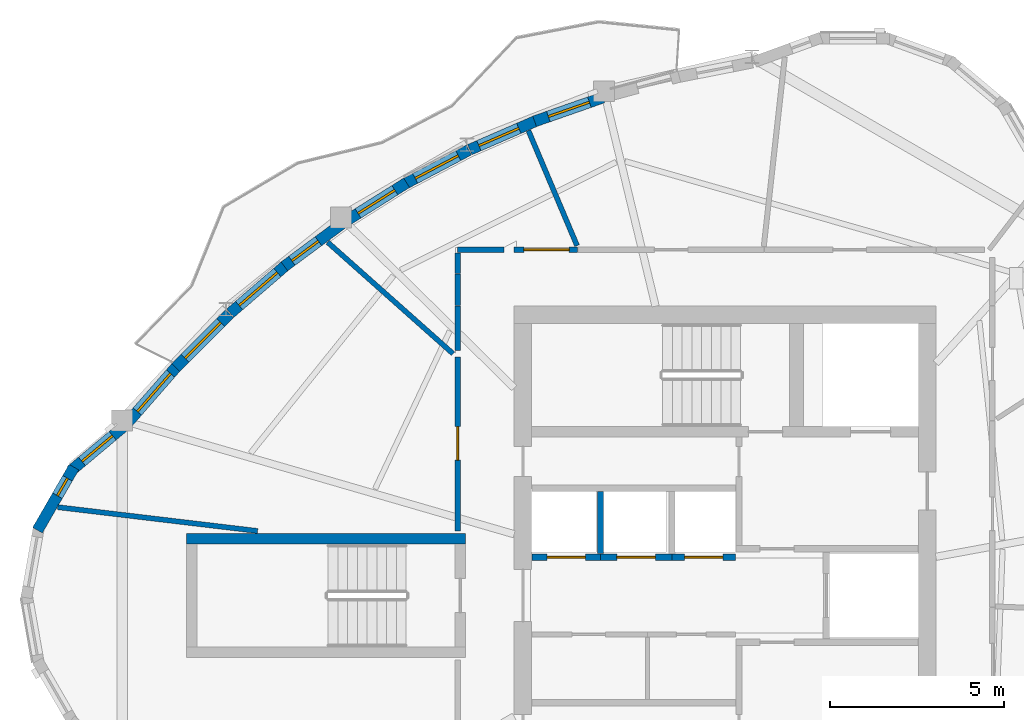
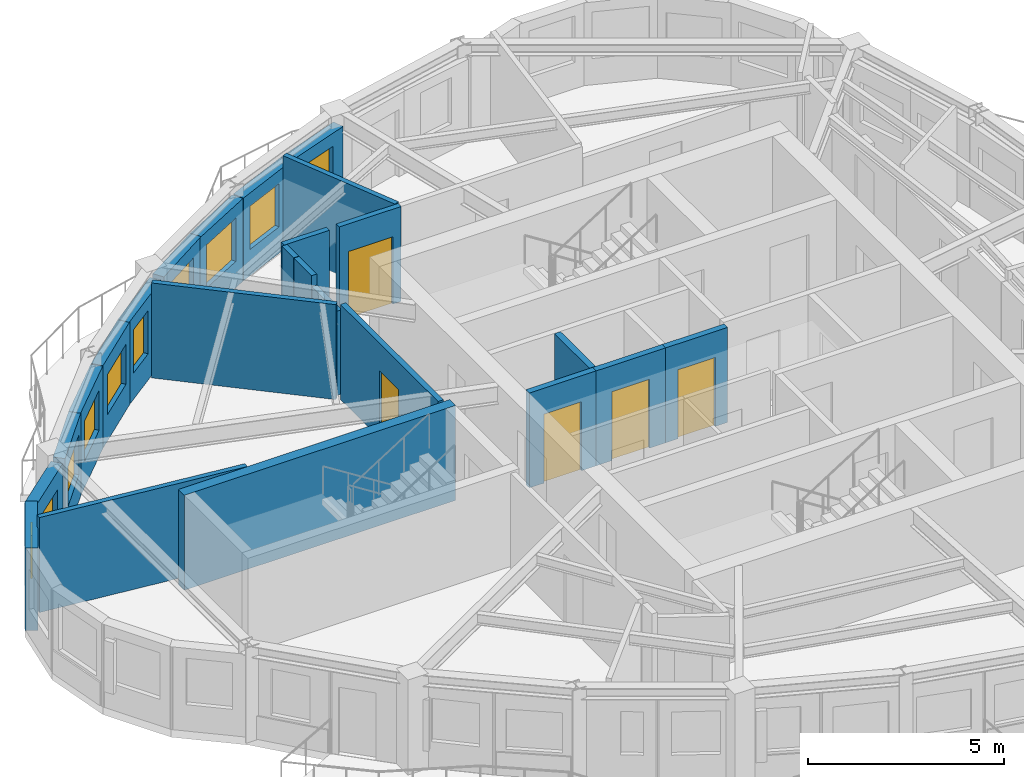
# One storey, part 5 of 11: 24 walls, 10 windows, 5 doors, 15 openings.
"""IFC4 building model written with IfcOpenShell, lengths in metres."""

from ifc_helpers import new_model, si_unit, direction, frame, frame_2d, origin, place, context, subcontext, project, spatial, rectangle, extrude, source, transform, mapped, material, layer, layer_set, type_object, element, fill, save


model = new_model("IFC4")

# Units and contexts
model_context = context("Model", 3, precision=1e-05, world=origin(), true_north=direction((0.0, 1.0)))
body_context = subcontext(model_context, "Body", "Model", "MODEL_VIEW")
ifc_project = project(units=[si_unit("LENGTHUNIT", "METRE"), si_unit("AREAUNIT", "SQUARE_METRE"), si_unit("VOLUMEUNIT", "CUBIC_METRE"), si_unit("PLANEANGLEUNIT", "RADIAN"), si_unit("MASSUNIT", "GRAM", prefix="KILO")], contexts=[model_context])

# Site, building, storey
site_placement = place(None, origin())
site = spatial("IfcSite", under=ifc_project, at=site_placement, CompositionType="ELEMENT")
building_placement = place(site_placement, origin())
building = spatial("IfcBuilding", under=site, at=building_placement, Name="Qafzar Sky-Pleat Residences", CompositionType="ELEMENT")
storey_placement = place(building_placement, frame((0.0, 0.0, 230.800048828125)))
storey = spatial("IfcBuildingStorey", under=building, at=storey_placement, Name="L69", CompositionType="ELEMENT", Elevation=230.800048828125)

# Wall, opening, door
ifc_material_1 = material(Name="Acoustic gypsum plasterboard partition", Category="gypsum")
ifc_layer_1 = layer(ifc_material_1, 0.159912109375)
ifc_layer_set_1 = layer_set([ifc_layer_1], Name="Acoustic gypsum plasterboard partition")
wall_type_1 = type_object("IfcWallType", Name="PART-COR-160", PredefinedType="PARTITIONING", material=ifc_layer_set_1)
wall_1_placement = place(storey_placement, frame((22.679931640625, 27.85009765625, 0.0), z_axis=(0.0, 0.0, 1.0), x_axis=(0.0, 1.0, 0.0)))
wall_1 = element("IfcWall", 1, at=wall_1_placement, inside=storey, type_object=wall_type_1, Name="L69 Partition Wall PART-L69-PW-004", PredefinedType="PARTITIONING", context=body_context, shape_type="SweptSolid", body=[
    extrude(rectangle(XDim=4.98779296875, YDim=0.159912109375, at=frame_2d((2.493896484375, 0.0))), origin(), (0.0, 0.0, 1.0), 2.9599609375),
])
opening_1_placement = place(wall_1_placement, frame((2.033447265625, 0.0, 0.0)))
opening_1 = element("IfcOpeningElement", 2, at=opening_1_placement, cuts=wall_1, Name="Opening ID-06", PredefinedType="OPENING", context=body_context, shape_type="SweptSolid", body=[
    extrude(rectangle(XDim=0.9599609375, YDim=2.10009765625, at=frame_2d((0.47998046875, 1.050048828125))), frame((0.0, 0.08984375, 0.0), z_axis=(0.0, -1.0, 0.0), x_axis=(1.0, 0.0, 0.0)), (0.0, 0.0, 1.0), 0.179931640625),
])
ifc_material_2 = material(Name="Timber-faced fire door", Category="wood")
door_type_1 = type_object("IfcDoorType", Name="DR-STD-960", OperationType="NOTDEFINED", PredefinedType="DOOR", material=ifc_material_2)
shared_shape_1 = source(origin(), body_context, "Body", "SweptSolid", [
    extrude(rectangle(XDim=0.9599609375, YDim=2.10009765625, at=frame_2d((0.47998046875, 1.050048828125))), frame((0.0, 0.02490234375, 0.0), z_axis=(0.0, -1.0, 0.0), x_axis=(1.0, 0.0, 0.0)), (0.0, 0.0, 1.0), 0.050048828125),
])
door_1_placement = place(opening_1_placement, origin())
door_1 = element("IfcDoor", 3, at=door_1_placement, inside=storey, type_object=door_type_1, Name="L69 Reading Library Door", OperationType="SINGLE_SWING_RIGHT", OverallHeight=2.10009765625, OverallWidth=0.9599609375, PredefinedType="DOOR", context=body_context, shape_type="MappedRepresentation", body=[
    mapped(shared_shape_1, transform((0.0, 0.0, 0.0), x_axis=(1.0, 0.0, 0.0), y_axis=(0.0, 1.0, 0.0), z_axis=(0.0, 0.0, 1.0), scale=1.0)),
])
fill(opening_1, door_1)

wall_2_placement = place(storey_placement, frame((24.300048828125, 35.919921875, 0.0), z_axis=(0.0, 0.0, 1.0), x_axis=(1.0, 0.0, 0.0)))
wall_2 = element("IfcWall", 4, at=wall_2_placement, inside=storey, type_object=wall_type_1, Name="L69 Partition Wall PART-L69-PW-009", PredefinedType="PARTITIONING", context=body_context, shape_type="SweptSolid", body=[
    extrude(rectangle(XDim=1.822998046875, YDim=0.159912109375, at=frame_2d((0.91162109375, 0.0))), origin(), (0.0, 0.0, 1.0), 2.9599609375),
])
opening_2_placement = place(wall_2_placement, frame((0.277099609375, 0.0, 0.0)))
opening_2 = element("IfcOpeningElement", 5, at=opening_2_placement, cuts=wall_2, Name="Opening ID-05", PredefinedType="OPENING", context=body_context, shape_type="SweptSolid", body=[
    extrude(rectangle(XDim=1.300048828125, YDim=2.10009765625, at=frame_2d((0.64990234375, 1.050048828125))), frame((0.0, 0.08984375, 0.0), z_axis=(0.0, -1.0, 0.0), x_axis=(1.0, 0.0, 0.0)), (0.0, 0.0, 1.0), 0.179931640625),
])
door_type_2 = type_object("IfcDoorType", Name="DR-LNG-1300", OperationType="DOUBLE_DOOR_SINGLE_SWING", PredefinedType="DOOR", material=ifc_material_2)
shared_shape_2 = source(origin(), body_context, "Body", "SweptSolid", [
    extrude(rectangle(XDim=1.300048828125, YDim=2.10009765625, at=frame_2d((0.64990234375, 1.050048828125))), frame((0.0, 0.02490234375, 0.0), z_axis=(0.0, -1.0, 0.0), x_axis=(1.0, 0.0, 0.0)), (0.0, 0.0, 1.0), 0.050048828125),
])
door_2_placement = place(opening_2_placement, origin())
door_2 = element("IfcDoor", 6, at=door_2_placement, inside=storey, type_object=door_type_2, Name="L69 Co-Living Lounge Door", OperationType="DOUBLE_DOOR_SINGLE_SWING", OverallHeight=2.10009765625, OverallWidth=1.300048828125, PredefinedType="DOOR", context=body_context, shape_type="MappedRepresentation", body=[
    mapped(shared_shape_2, transform((0.0, 0.0, 0.0), x_axis=(1.0, 0.0, 0.0), y_axis=(0.0, 1.0, 0.0), z_axis=(0.0, 0.0, 1.0), scale=1.0)),
])
fill(opening_2, door_2)

# Walls
wall_3_placement = place(storey_placement, frame((22.679931640625, 33.029052734375, 0.0), z_axis=(0.0, 0.0, 1.0), x_axis=(0.0, 1.0, 0.0)))
element("IfcWall", 7, at=wall_3_placement, inside=storey, type_object=wall_type_1, Name="L69 Partition Wall PART-L69-PW-024", PredefinedType="PARTITIONING", context=body_context, shape_type="SweptSolid", body=[
    extrude(rectangle(XDim=1.27099609375, YDim=0.159912109375, at=frame_2d((0.635498046875, 0.0))), origin(), (0.0, 0.0, 1.0), 2.6279296875),
])
wall_4_placement = place(storey_placement, frame((22.679931640625, 35.919921875, 0.0), z_axis=(0.0, 0.0, 1.0), x_axis=(1.0, 0.0, 0.0)))
element("IfcWall", 8, at=wall_4_placement, inside=storey, type_object=wall_type_1, Name="L69 Partition Wall PART-L69-PW-025", PredefinedType="PARTITIONING", context=body_context, shape_type="SweptSolid", body=[
    extrude(rectangle(XDim=1.33203125, YDim=0.159912109375, at=frame_2d((0.666015625, 0.0))), origin(), (0.0, 0.0, 1.0), 2.9599609375),
])
wall_5_placement = place(storey_placement, frame((22.679931640625, 34.31494140625, 0.0), z_axis=(0.0, 0.0, 1.0), x_axis=(0.0, 1.0, 0.0)))
element("IfcWall", 9, at=wall_5_placement, inside=storey, type_object=wall_type_1, Name="L69 Partition Wall PART-L69-PW-027", PredefinedType="PARTITIONING", context=body_context, shape_type="SweptSolid", body=[
    extrude(rectangle(XDim=0.902099609375, YDim=0.159912109375, at=frame_2d((0.451171875, 0.0))), origin(), (0.0, 0.0, 1.0), 2.9599609375),
])
wall_6_placement = place(storey_placement, frame((22.679931640625, 35.23193359375, 0.0), z_axis=(0.0, 0.0, 1.0), x_axis=(0.0, 1.0, 0.0)))
element("IfcWall", 10, at=wall_6_placement, inside=storey, type_object=wall_type_1, Name="L69 Partition Wall PART-L69-PW-029", PredefinedType="PARTITIONING", context=body_context, shape_type="SweptSolid", body=[
    extrude(rectangle(XDim=0.60009765625, YDim=0.159912109375, at=frame_2d((0.300048828125, 0.0))), origin(), (0.0, 0.0, 1.0), 2.9599609375),
])

# Wall, opening, door
ifc_material_3 = material(Name="Concrete blockwork partition", Category="masonry")
ifc_layer_2 = layer(ifc_material_3, 0.179931640625)
ifc_layer_set_2 = layer_set([ifc_layer_2], Name="Concrete blockwork partition")
wall_type_2 = type_object("IfcWallType", Name="PART-SHAFT-180", PredefinedType="PARTITIONING", material=ifc_layer_set_2)
wall_7_placement = place(storey_placement, frame((24.81005859375, 27.10009765625, 0.0), z_axis=(0.0, 0.0, 1.0), x_axis=(1.0, 0.0, 0.0)))
wall_7 = element("IfcWall", 11, at=wall_7_placement, inside=storey, type_object=wall_type_2, Name="L69 Partition Wall PART-L69-P4-S", PredefinedType="PARTITIONING", context=body_context, shape_type="SweptSolid", body=[
    extrude(rectangle(XDim=1.96484375, YDim=0.179931640625, at=frame_2d((0.982421875, 0.0))), origin(), (0.0, 0.0, 1.0), 2.9599609375),
])
opening_3_placement = place(wall_7_placement, frame((0.4326171875, 0.0, 0.0)))
opening_3 = element("IfcOpeningElement", 12, at=opening_3_placement, cuts=wall_7, Name="Opening LD-01", PredefinedType="OPENING", context=body_context, shape_type="SweptSolid", body=[
    extrude(rectangle(XDim=1.10009765625, YDim=2.14990234375, at=frame_2d((0.550048828125, 1.074951171875))), frame((0.0, 0.10009765625, 0.0), z_axis=(0.0, -1.0, 0.0), x_axis=(1.0, 0.0, 0.0)), (0.0, 0.0, 1.0), 0.199951171875),
])
ifc_material_4 = material(Name="Stainless steel sliding landing door", Category="steel")
door_type_3 = type_object("IfcDoorType", Name="DR-LIFT-P", OperationType="DOUBLE_DOOR_SLIDING", PredefinedType="DOOR", material=ifc_material_4)
shared_shape_3 = source(origin(), body_context, "Body", "SweptSolid", [
    extrude(rectangle(XDim=1.10009765625, YDim=2.14990234375, at=frame_2d((0.550048828125, 1.074951171875))), frame((0.0, 0.02490234375, 0.0), z_axis=(0.0, -1.0, 0.0), x_axis=(1.0, 0.0, 0.0)), (0.0, 0.0, 1.0), 0.050048828125),
])
door_3_placement = place(opening_3_placement, origin())
door_3 = element("IfcDoor", 13, at=door_3_placement, inside=storey, type_object=door_type_3, Name="L69 Passenger Lift P4 Landing Door", OperationType="DOUBLE_DOOR_SLIDING", OverallHeight=2.14990234375, OverallWidth=1.10009765625, PredefinedType="DOOR", context=body_context, shape_type="MappedRepresentation", body=[
    mapped(shared_shape_3, transform((0.0, 0.0, 0.0), x_axis=(1.0, 0.0, 0.0), y_axis=(0.0, 1.0, 0.0), z_axis=(0.0, 0.0, 1.0), scale=1.0)),
])
fill(opening_3, door_3)

wall_8_placement = place(storey_placement, frame((26.77490234375, 27.10009765625, 0.0), z_axis=(0.0, 0.0, 1.0), x_axis=(1.0, 0.0, 0.0)))
wall_8 = element("IfcWall", 14, at=wall_8_placement, inside=storey, type_object=wall_type_2, Name="L69 Partition Wall PART-L69-P5-S", PredefinedType="PARTITIONING", context=body_context, shape_type="SweptSolid", body=[
    extrude(rectangle(XDim=2.050048828125, YDim=0.179931640625, at=frame_2d((1.02490234375, 0.0))), origin(), (0.0, 0.0, 1.0), 2.9599609375),
])
opening_4_placement = place(wall_8_placement, frame((0.47509765625, 0.0, 0.0)))
opening_4 = element("IfcOpeningElement", 15, at=opening_4_placement, cuts=wall_8, Name="Opening LD-01", PredefinedType="OPENING", context=body_context, shape_type="SweptSolid", body=[
    extrude(rectangle(XDim=1.10009765625, YDim=2.14990234375, at=frame_2d((0.550048828125, 1.074951171875))), frame((0.0, 0.10009765625, 0.0), z_axis=(0.0, -1.0, 0.0), x_axis=(1.0, 0.0, 0.0)), (0.0, 0.0, 1.0), 0.199951171875),
])
door_4_placement = place(opening_4_placement, origin())
door_4 = element("IfcDoor", 16, at=door_4_placement, inside=storey, type_object=door_type_3, Name="L69 Passenger Lift P5 Landing Door", OperationType="DOUBLE_DOOR_SLIDING", OverallHeight=2.14990234375, OverallWidth=1.10009765625, PredefinedType="DOOR", context=body_context, shape_type="MappedRepresentation", body=[
    mapped(shared_shape_3, transform((0.0, 0.0, 0.0), x_axis=(1.0, 0.0, 0.0), y_axis=(0.0, 1.0, 0.0), z_axis=(0.0, 0.0, 1.0), scale=1.0)),
])
fill(opening_4, door_4)

# Wall
wall_9_placement = place(storey_placement, frame((26.77490234375, 27.199951171875, 0.0), z_axis=(0.0, 0.0, 1.0), x_axis=(0.0, 1.0, 0.0)))
element("IfcWall", 17, at=wall_9_placement, inside=storey, type_object=wall_type_2, Name="L69 Partition Wall PART-L69-P46-DIV-1", PredefinedType="PARTITIONING", context=body_context, shape_type="SweptSolid", body=[
    extrude(rectangle(XDim=1.780029296875, YDim=0.179931640625, at=frame_2d((0.89013671875, 0.0))), origin(), (0.0, 0.0, 1.0), 2.9599609375),
])

# Wall, opening, door
wall_10_placement = place(storey_placement, frame((28.824951171875, 27.10009765625, 0.0), z_axis=(0.0, 0.0, 1.0), x_axis=(1.0, 0.0, 0.0)))
wall_10 = element("IfcWall", 18, at=wall_10_placement, inside=storey, type_object=wall_type_2, Name="L69 Partition Wall PART-L69-P6-S", PredefinedType="PARTITIONING", context=body_context, shape_type="SweptSolid", body=[
    extrude(rectangle(XDim=1.824951171875, YDim=0.179931640625, at=frame_2d((0.91259765625, 0.0))), origin(), (0.0, 0.0, 1.0), 2.9599609375),
])
opening_5_placement = place(wall_10_placement, frame((0.362548828125, 0.0, 0.0)))
opening_5 = element("IfcOpeningElement", 19, at=opening_5_placement, cuts=wall_10, Name="Opening LD-01", PredefinedType="OPENING", context=body_context, shape_type="SweptSolid", body=[
    extrude(rectangle(XDim=1.10009765625, YDim=2.14990234375, at=frame_2d((0.550048828125, 1.074951171875))), frame((0.0, 0.10009765625, 0.0), z_axis=(0.0, -1.0, 0.0), x_axis=(1.0, 0.0, 0.0)), (0.0, 0.0, 1.0), 0.199951171875),
])
door_5_placement = place(opening_5_placement, origin())
door_5 = element("IfcDoor", 20, at=door_5_placement, inside=storey, type_object=door_type_3, Name="L69 Passenger Lift P6 Landing Door", OperationType="DOUBLE_DOOR_SLIDING", OverallHeight=2.14990234375, OverallWidth=1.10009765625, PredefinedType="DOOR", context=body_context, shape_type="MappedRepresentation", body=[
    mapped(shared_shape_3, transform((0.0, 0.0, 0.0), x_axis=(1.0, 0.0, 0.0), y_axis=(0.0, 1.0, 0.0), z_axis=(0.0, 0.0, 1.0), scale=1.0)),
])
fill(opening_5, door_5)

# Walls
ifc_layer_3 = layer(ifc_material_1, 0.14501953125)
ifc_layer_set_3 = layer_set([ifc_layer_3], Name="Acoustic gypsum plasterboard partition")
wall_type_3 = type_object("IfcWallType", Name="PART-UNIT-145", PredefinedType="PARTITIONING", material=ifc_layer_set_3)
wall_11_placement = place(storey_placement, frame((11.204833984375, 28.533935546875, 0.0), z_axis=(0.0, 0.0, 1.0), x_axis=(0.9929685345, -0.118378585449, 0.0)))
element("IfcWall", 21, at=wall_11_placement, inside=storey, type_object=wall_type_3, Name="L69 Partition Wall PART-L69-PW-011", PredefinedType="PARTITIONING", context=body_context, shape_type="SweptSolid", body=[
    extrude(rectangle(XDim=5.776611328125, YDim=0.14501953125, at=frame_2d((2.88818359375, 0.0))), origin(), (0.0, 0.0, 1.0), 2.9599609375),
])
wall_12_placement = place(storey_placement, frame((18.94873046875, 36.134033203125, 0.0), z_axis=(0.0, 0.0, 1.0), x_axis=(0.747482088067, -0.664281964243, 0.0)))
element("IfcWall", 22, at=wall_12_placement, inside=storey, type_object=wall_type_3, Name="L69 Partition Wall PART-L69-PW-014", PredefinedType="PARTITIONING", context=body_context, shape_type="SweptSolid", body=[
    extrude(rectangle(XDim=4.8125, YDim=0.14501953125, at=frame_2d((2.40625, 0.0))), origin(), (0.0, 0.0, 1.0), 2.9599609375),
])
wall_13_placement = place(storey_placement, frame((24.708251953125, 39.337890625, 0.0), z_axis=(0.0, 0.0, 1.0), x_axis=(0.389551136954, -0.921004838043, 0.0)))
element("IfcWall", 23, at=wall_13_placement, inside=storey, type_object=wall_type_3, Name="L69 Partition Wall PART-L69-PW-015", PredefinedType="PARTITIONING", context=body_context, shape_type="SweptSolid", body=[
    extrude(rectangle(XDim=3.58544921875, YDim=0.14501953125, at=frame_2d((1.792724609375, 0.0))), origin(), (0.0, 0.0, 1.0), 2.9599609375),
])

# Wall, opening, window
ifc_material_5 = material(Name="Precast concrete C40/50 with honed Riyadh limestone", Category="concrete")
ifc_layer_4 = layer(ifc_material_5, 0.320068359375)
ifc_layer_set_4 = layer_set([ifc_layer_4], Name="Precast concrete C40/50 with honed Riyadh limestone")
wall_type_4 = type_object("IfcWallType", Name="WALL-EXT-320", PredefinedType="SOLIDWALL", material=ifc_layer_set_4)
wall_14_placement = place(storey_placement, frame((13.0888671875, 30.842529296875, 0.0), z_axis=(0.0, 0.0, 1.0), x_axis=(-0.76606505432, -0.642763045414, 0.0)))
wall_14 = element("IfcWall", 24, at=wall_14_placement, inside=storey, type_object=wall_type_4, Name="L69 Limestone Facade Wall 1", PredefinedType="SOLIDWALL", context=body_context, shape_type="SweptSolid", body=[
    extrude(rectangle(XDim=1.962158203125, YDim=0.320068359375, at=frame_2d((0.98095703125, 0.0))), origin(), (0.0, 0.0, 1.0), 2.579833984375),
])
opening_6_placement = place(wall_14_placement, frame((0.401123046875, 0.0, 0.820068359375)))
opening_6 = element("IfcOpeningElement", 25, at=opening_6_placement, cuts=wall_14, Name="Opening WN-16", PredefinedType="OPENING", context=body_context, shape_type="SweptSolid", body=[
    extrude(rectangle(XDim=1.14990234375, YDim=1.199951171875, at=frame_2d((0.574951171875, 0.60009765625))), frame((0.0, 0.169921875, 0.0), z_axis=(0.0, -1.0, 0.0), x_axis=(1.0, 0.0, 0.0)), (0.0, 0.0, 1.0), 0.340087890625),
])
ifc_material_6 = material(Name="Solar-control low-E glass in bronze aluminium frame", Category="glass")
window_type_1 = type_object("IfcWindowType", Name="WIN-16", PartitioningType="SINGLE_PANEL", PredefinedType="WINDOW", material=ifc_material_6)
shared_shape_4 = source(origin(), body_context, "Body", "SweptSolid", [
    extrude(rectangle(XDim=1.14990234375, YDim=1.199951171875, at=frame_2d((0.574951171875, 0.60009765625))), frame((0.0, 0.030029296875, 0.0), z_axis=(0.0, -1.0, 0.0), x_axis=(1.0, 0.0, 0.0)), (0.0, 0.0, 1.0), 0.06005859375),
])
window_1_placement = place(opening_6_placement, origin())
window_1 = element("IfcWindow", 26, at=window_1_placement, inside=storey, type_object=window_type_1, Name="L69 Punched Facade Window 01", OverallHeight=1.199951171875, OverallWidth=1.14990234375, PartitioningType="SINGLE_PANEL", PredefinedType="WINDOW", context=body_context, shape_type="MappedRepresentation", body=[
    mapped(shared_shape_4, transform((0.0, 0.0, 0.0), x_axis=(1.0, 0.0, 0.0), y_axis=(0.0, 1.0, 0.0), z_axis=(0.0, 0.0, 1.0), scale=1.0)),
])
fill(opening_6, window_1)

wall_15_placement = place(storey_placement, frame((11.66943359375, 29.68115234375, 0.0), z_axis=(0.0, 0.0, 1.0), x_axis=(-0.49990781971, -0.866078617559, 0.0)))
wall_15 = element("IfcWall", 27, at=wall_15_placement, inside=storey, type_object=wall_type_4, Name="L69 Limestone Facade Wall 2", PredefinedType="SOLIDWALL", context=body_context, shape_type="SweptSolid", body=[
    extrude(rectangle(XDim=2.09033203125, YDim=0.320068359375, at=frame_2d((1.045166015625, 0.0))), origin(), (0.0, 0.0, 1.0), 2.579833984375),
])
opening_7_placement = place(wall_15_placement, frame((0.3671875, 0.0, 0.820068359375)))
opening_7 = element("IfcOpeningElement", 28, at=opening_7_placement, cuts=wall_15, Name="Opening WN-17", PredefinedType="OPENING", context=body_context, shape_type="SweptSolid", body=[
    extrude(rectangle(XDim=0.580078125, YDim=1.35009765625, at=frame_2d((0.2900390625, 0.675048828125))), frame((0.0, 0.169921875, 0.0), z_axis=(0.0, -1.0, 0.0), x_axis=(1.0, 0.0, 0.0)), (0.0, 0.0, 1.0), 0.340087890625),
])
window_type_2 = type_object("IfcWindowType", Name="WIN-17", PartitioningType="SINGLE_PANEL", PredefinedType="WINDOW", material=ifc_material_6)
shared_shape_5 = source(origin(), body_context, "Body", "SweptSolid", [
    extrude(rectangle(XDim=0.580078125, YDim=1.35009765625, at=frame_2d((0.2900390625, 0.675048828125))), frame((0.0, 0.030029296875, 0.0), z_axis=(0.0, -1.0, 0.0), x_axis=(1.0, 0.0, 0.0)), (0.0, 0.0, 1.0), 0.06005859375),
])
window_2_placement = place(opening_7_placement, origin())
window_2 = element("IfcWindow", 29, at=window_2_placement, inside=storey, type_object=window_type_2, Name="L69 Punched Facade Window 02", OverallHeight=1.35009765625, OverallWidth=0.580078125, PartitioningType="SINGLE_PANEL", PredefinedType="WINDOW", context=body_context, shape_type="MappedRepresentation", body=[
    mapped(shared_shape_5, transform((0.0, 0.0, 0.0), x_axis=(1.0, 0.0, 0.0), y_axis=(0.0, 1.0, 0.0), z_axis=(0.0, 0.0, 1.0), scale=1.0)),
])
fill(opening_7, window_2)

wall_16_placement = place(storey_placement, frame((26.842529296875, 40.285888671875, 0.0), z_axis=(0.0, 0.0, 1.0), x_axis=(-0.944109796758, -0.329631144867, 0.0)))
wall_16 = element("IfcWall", 30, at=wall_16_placement, inside=storey, type_object=wall_type_4, Name="L69 Limestone Facade Wall 41", PredefinedType="SOLIDWALL", context=body_context, shape_type="SweptSolid", body=[
    extrude(rectangle(XDim=2.071533203125, YDim=0.320068359375, at=frame_2d((1.03564453125, 0.0))), origin(), (0.0, 0.0, 1.0), 2.579833984375),
])
opening_8_placement = place(wall_16_placement, frame((0.40576171875, 0.0, 0.820068359375)))
opening_8 = element("IfcOpeningElement", 31, at=opening_8_placement, cuts=wall_16, Name="Opening WN-11", PredefinedType="OPENING", context=body_context, shape_type="SweptSolid", body=[
    extrude(rectangle(XDim=1.25, YDim=1.35009765625, at=frame_2d((0.625, 0.675048828125))), frame((0.0, 0.169921875, 0.0), z_axis=(0.0, -1.0, 0.0), x_axis=(1.0, 0.0, 0.0)), (0.0, 0.0, 1.0), 0.340087890625),
])
window_type_3 = type_object("IfcWindowType", Name="WIN-11", PartitioningType="SINGLE_PANEL", PredefinedType="WINDOW", material=ifc_material_6)
shared_shape_6 = source(origin(), body_context, "Body", "SweptSolid", [
    extrude(rectangle(XDim=1.25, YDim=1.35009765625, at=frame_2d((0.625, 0.675048828125))), frame((0.0, 0.030029296875, 0.0), z_axis=(0.0, -1.0, 0.0), x_axis=(1.0, 0.0, 0.0)), (0.0, 0.0, 1.0), 0.06005859375),
])
window_3_placement = place(opening_8_placement, origin())
window_3 = element("IfcWindow", 32, at=window_3_placement, inside=storey, type_object=window_type_3, Name="L69 Punched Facade Window 41", OverallHeight=1.35009765625, OverallWidth=1.25, PartitioningType="SINGLE_PANEL", PredefinedType="WINDOW", context=body_context, shape_type="MappedRepresentation", body=[
    mapped(shared_shape_6, transform((0.0, 0.0, 0.0), x_axis=(1.0, 0.0, 0.0), y_axis=(0.0, 1.0, 0.0), z_axis=(0.0, 0.0, 1.0), scale=1.0)),
])
fill(opening_8, window_3)

wall_17_placement = place(storey_placement, frame((24.968505859375, 39.635009765625, 0.0), z_axis=(0.0, 0.0, 1.0), x_axis=(-0.917099379281, -0.398658661666, 0.0)))
wall_17 = element("IfcWall", 33, at=wall_17_placement, inside=storey, type_object=wall_type_4, Name="L69 Limestone Facade Wall 42", PredefinedType="SOLIDWALL", context=body_context, shape_type="SweptSolid", body=[
    extrude(rectangle(XDim=2.11767578125, YDim=0.320068359375, at=frame_2d((1.058837890625, 0.0))), origin(), (0.0, 0.0, 1.0), 2.579833984375),
])
opening_9_placement = place(wall_17_placement, frame((0.582275390625, 0.0, 0.820068359375)))
opening_9 = element("IfcOpeningElement", 34, at=opening_9_placement, cuts=wall_17, Name="Opening WN-11", PredefinedType="OPENING", context=body_context, shape_type="SweptSolid", body=[
    extrude(rectangle(XDim=1.25, YDim=1.35009765625, at=frame_2d((0.625, 0.675048828125))), frame((0.0, 0.169921875, 0.0), z_axis=(0.0, -1.0, 0.0), x_axis=(1.0, 0.0, 0.0)), (0.0, 0.0, 1.0), 0.340087890625),
])
window_4_placement = place(opening_9_placement, origin())
window_4 = element("IfcWindow", 35, at=window_4_placement, inside=storey, type_object=window_type_3, Name="L69 Punched Facade Window 42", OverallHeight=1.35009765625, OverallWidth=1.25, PartitioningType="SINGLE_PANEL", PredefinedType="WINDOW", context=body_context, shape_type="MappedRepresentation", body=[
    mapped(shared_shape_6, transform((0.0, 0.0, 0.0), x_axis=(1.0, 0.0, 0.0), y_axis=(0.0, 1.0, 0.0), z_axis=(0.0, 0.0, 1.0), scale=1.0)),
])
fill(opening_9, window_4)

wall_18_placement = place(storey_placement, frame((23.001220703125, 38.77880859375, 0.0), z_axis=(0.0, 0.0, 1.0), x_axis=(-0.884379435148, -0.466768695059, 0.0)))
wall_18 = element("IfcWall", 36, at=wall_18_placement, inside=storey, type_object=wall_type_4, Name="L69 Limestone Facade Wall 43", PredefinedType="SOLIDWALL", context=body_context, shape_type="SweptSolid", body=[
    extrude(rectangle(XDim=2.105712890625, YDim=0.320068359375, at=frame_2d((1.052734375, 0.0))), origin(), (0.0, 0.0, 1.0), 2.579833984375),
])
opening_10_placement = place(wall_18_placement, frame((0.343017578125, 0.0, 0.820068359375)))
opening_10 = element("IfcOpeningElement", 37, at=opening_10_placement, cuts=wall_18, Name="Opening WN-10", PredefinedType="OPENING", context=body_context, shape_type="SweptSolid", body=[
    extrude(rectangle(XDim=1.39990234375, YDim=1.35009765625, at=frame_2d((0.699951171875, 0.675048828125))), frame((0.0, 0.169921875, 0.0), z_axis=(0.0, -1.0, 0.0), x_axis=(1.0, 0.0, 0.0)), (0.0, 0.0, 1.0), 0.340087890625),
])
window_type_4 = type_object("IfcWindowType", Name="WIN-10", PartitioningType="SINGLE_PANEL", PredefinedType="WINDOW", material=ifc_material_6)
shared_shape_7 = source(origin(), body_context, "Body", "SweptSolid", [
    extrude(rectangle(XDim=1.39990234375, YDim=1.35009765625, at=frame_2d((0.699951171875, 0.675048828125))), frame((0.0, 0.030029296875, 0.0), z_axis=(0.0, -1.0, 0.0), x_axis=(1.0, 0.0, 0.0)), (0.0, 0.0, 1.0), 0.06005859375),
])
window_5_placement = place(opening_10_placement, origin())
window_5 = element("IfcWindow", 38, at=window_5_placement, inside=storey, type_object=window_type_4, Name="L69 Punched Facade Window 43", OverallHeight=1.35009765625, OverallWidth=1.39990234375, PartitioningType="SINGLE_PANEL", PredefinedType="WINDOW", context=body_context, shape_type="MappedRepresentation", body=[
    mapped(shared_shape_7, transform((0.0, 0.0, 0.0), x_axis=(1.0, 0.0, 0.0), y_axis=(0.0, 1.0, 0.0), z_axis=(0.0, 0.0, 1.0), scale=1.0)),
])
fill(opening_10, window_5)

wall_19_placement = place(storey_placement, frame((21.215087890625, 37.83984375, 0.0), z_axis=(0.0, 0.0, 1.0), x_axis=(-0.846356989859, -0.532616039672, 0.0)))
wall_19 = element("IfcWall", 39, at=wall_19_placement, inside=storey, type_object=wall_type_4, Name="L69 Limestone Facade Wall 44", PredefinedType="SOLIDWALL", context=body_context, shape_type="SweptSolid", body=[
    extrude(rectangle(XDim=2.03564453125, YDim=0.320068359375, at=frame_2d((1.017822265625, 0.0))), origin(), (0.0, 0.0, 1.0), 2.579833984375),
])
opening_11_placement = place(wall_19_placement, frame((0.39794921875, 0.0, 0.820068359375)))
opening_11 = element("IfcOpeningElement", 40, at=opening_11_placement, cuts=wall_19, Name="Opening WN-11", PredefinedType="OPENING", context=body_context, shape_type="SweptSolid", body=[
    extrude(rectangle(XDim=1.25, YDim=1.35009765625, at=frame_2d((0.625, 0.675048828125))), frame((0.0, 0.169921875, 0.0), z_axis=(0.0, -1.0, 0.0), x_axis=(1.0, 0.0, 0.0)), (0.0, 0.0, 1.0), 0.340087890625),
])
window_6_placement = place(opening_11_placement, origin())
window_6 = element("IfcWindow", 41, at=window_6_placement, inside=storey, type_object=window_type_3, Name="L69 Punched Facade Window 44", OverallHeight=1.35009765625, OverallWidth=1.25, PartitioningType="SINGLE_PANEL", PredefinedType="WINDOW", context=body_context, shape_type="MappedRepresentation", body=[
    mapped(shared_shape_6, transform((0.0, 0.0, 0.0), x_axis=(1.0, 0.0, 0.0), y_axis=(0.0, 1.0, 0.0), z_axis=(0.0, 0.0, 1.0), scale=1.0)),
])
fill(opening_11, window_6)

wall_20_placement = place(storey_placement, frame((19.353515625, 36.660888671875, 0.0), z_axis=(0.0, 0.0, 1.0), x_axis=(-0.803846460046, -0.59483684206, 0.0)))
wall_20 = element("IfcWall", 42, at=wall_20_placement, inside=storey, type_object=wall_type_4, Name="L69 Limestone Facade Wall 45", PredefinedType="SOLIDWALL", context=body_context, shape_type="SweptSolid", body=[
    extrude(rectangle(XDim=2.047607421875, YDim=0.320068359375, at=frame_2d((1.02392578125, 0.0))), origin(), (0.0, 0.0, 1.0), 2.579833984375),
])
opening_12_placement = place(wall_20_placement, frame((0.831787109375, 0.0, 0.820068359375)))
opening_12 = element("IfcOpeningElement", 43, at=opening_12_placement, cuts=wall_20, Name="Opening WN-12", PredefinedType="OPENING", context=body_context, shape_type="SweptSolid", body=[
    extrude(rectangle(XDim=0.949951171875, YDim=1.35009765625, at=frame_2d((0.47509765625, 0.675048828125))), frame((0.0, 0.169921875, 0.0), z_axis=(0.0, -1.0, 0.0), x_axis=(1.0, 0.0, 0.0)), (0.0, 0.0, 1.0), 0.340087890625),
])
window_type_5 = type_object("IfcWindowType", Name="WIN-12", PartitioningType="SINGLE_PANEL", PredefinedType="WINDOW", material=ifc_material_6)
shared_shape_8 = source(origin(), body_context, "Body", "SweptSolid", [
    extrude(rectangle(XDim=0.949951171875, YDim=1.35009765625, at=frame_2d((0.47509765625, 0.675048828125))), frame((0.0, 0.030029296875, 0.0), z_axis=(0.0, -1.0, 0.0), x_axis=(1.0, 0.0, 0.0)), (0.0, 0.0, 1.0), 0.06005859375),
])
window_7_placement = place(opening_12_placement, origin())
window_7 = element("IfcWindow", 44, at=window_7_placement, inside=storey, type_object=window_type_5, Name="L69 Punched Facade Window 45-2", OverallHeight=1.35009765625, OverallWidth=0.949951171875, PartitioningType="SINGLE_PANEL", PredefinedType="WINDOW", context=body_context, shape_type="MappedRepresentation", body=[
    mapped(shared_shape_8, transform((0.0, 0.0, 0.0), x_axis=(1.0, 0.0, 0.0), y_axis=(0.0, 1.0, 0.0), z_axis=(0.0, 0.0, 1.0), scale=1.0)),
])
fill(opening_12, window_7)

wall_21_placement = place(storey_placement, frame((17.77587890625, 35.497802734375, 0.0), z_axis=(0.0, 0.0, 1.0), x_axis=(-0.757443010922, -0.652901282894, 0.0)))
wall_21 = element("IfcWall", 45, at=wall_21_placement, inside=storey, type_object=wall_type_4, Name="L69 Limestone Facade Wall 46", PredefinedType="SOLIDWALL", context=body_context, shape_type="SweptSolid", body=[
    extrude(rectangle(XDim=2.1416015625, YDim=0.320068359375, at=frame_2d((1.07080078125, 0.0))), origin(), (0.0, 0.0, 1.0), 2.579833984375),
])
opening_13_placement = place(wall_21_placement, frame((0.355712890625, 0.0, 0.820068359375)))
opening_13 = element("IfcOpeningElement", 46, at=opening_13_placement, cuts=wall_21, Name="Opening WN-15", PredefinedType="OPENING", context=body_context, shape_type="SweptSolid", body=[
    extrude(rectangle(XDim=1.449951171875, YDim=1.25, at=frame_2d((0.72509765625, 0.625))), frame((0.0, 0.169921875, 0.0), z_axis=(0.0, -1.0, 0.0), x_axis=(1.0, 0.0, 0.0)), (0.0, 0.0, 1.0), 0.340087890625),
])
window_type_6 = type_object("IfcWindowType", Name="WIN-15", PartitioningType="SINGLE_PANEL", PredefinedType="WINDOW", material=ifc_material_6)
shared_shape_9 = source(origin(), body_context, "Body", "SweptSolid", [
    extrude(rectangle(XDim=1.449951171875, YDim=1.25, at=frame_2d((0.72509765625, 0.625))), frame((0.0, 0.030029296875, 0.0), z_axis=(0.0, -1.0, 0.0), x_axis=(1.0, 0.0, 0.0)), (0.0, 0.0, 1.0), 0.06005859375),
])
window_8_placement = place(opening_13_placement, origin())
window_8 = element("IfcWindow", 47, at=window_8_placement, inside=storey, type_object=window_type_6, Name="L69 Punched Facade Window 46", OverallHeight=1.25, OverallWidth=1.449951171875, PartitioningType="SINGLE_PANEL", PredefinedType="WINDOW", context=body_context, shape_type="MappedRepresentation", body=[
    mapped(shared_shape_9, transform((0.0, 0.0, 0.0), x_axis=(1.0, 0.0, 0.0), y_axis=(0.0, 1.0, 0.0), z_axis=(0.0, 0.0, 1.0), scale=1.0)),
])
fill(opening_13, window_8)

wall_22_placement = place(storey_placement, frame((16.133056640625, 34.080078125, 0.0), z_axis=(0.0, 0.0, 1.0), x_axis=(-0.708395431826, -0.705815777784, 0.0)))
wall_22 = element("IfcWall", 48, at=wall_22_placement, inside=storey, type_object=wall_type_4, Name="L69 Limestone Facade Wall 47", PredefinedType="SOLIDWALL", context=body_context, shape_type="SweptSolid", body=[
    extrude(rectangle(XDim=2.1767578125, YDim=0.320068359375, at=frame_2d((1.08837890625, 0.0))), origin(), (0.0, 0.0, 1.0), 2.579833984375),
])
opening_14_placement = place(wall_22_placement, frame((0.353515625, 0.0, 0.820068359375)))
opening_14 = element("IfcOpeningElement", 49, at=opening_14_placement, cuts=wall_22, Name="Opening WN-15", PredefinedType="OPENING", context=body_context, shape_type="SweptSolid", body=[
    extrude(rectangle(XDim=1.449951171875, YDim=1.25, at=frame_2d((0.72509765625, 0.625))), frame((0.0, 0.169921875, 0.0), z_axis=(0.0, -1.0, 0.0), x_axis=(1.0, 0.0, 0.0)), (0.0, 0.0, 1.0), 0.340087890625),
])
window_9_placement = place(opening_14_placement, origin())
window_9 = element("IfcWindow", 50, at=window_9_placement, inside=storey, type_object=window_type_6, Name="L69 Punched Facade Window 47", OverallHeight=1.25, OverallWidth=1.449951171875, PartitioningType="SINGLE_PANEL", PredefinedType="WINDOW", context=body_context, shape_type="MappedRepresentation", body=[
    mapped(shared_shape_9, transform((0.0, 0.0, 0.0), x_axis=(1.0, 0.0, 0.0), y_axis=(0.0, 1.0, 0.0), z_axis=(0.0, 0.0, 1.0), scale=1.0)),
])
fill(opening_14, window_9)

wall_23_placement = place(storey_placement, frame((14.650390625, 32.607421875, 0.0), z_axis=(0.0, 0.0, 1.0), x_axis=(-0.657629046069, -0.753341912923, 0.0)))
wall_23 = element("IfcWall", 51, at=wall_23_placement, inside=storey, type_object=wall_type_4, Name="L69 Limestone Facade Wall 48", PredefinedType="SOLIDWALL", context=body_context, shape_type="SweptSolid", body=[
    extrude(rectangle(XDim=2.15283203125, YDim=0.320068359375, at=frame_2d((1.076416015625, 0.0))), origin(), (0.0, 0.0, 1.0), 2.579833984375),
])
opening_15_placement = place(wall_23_placement, frame((0.31640625, 0.0, 0.820068359375)))
opening_15 = element("IfcOpeningElement", 52, at=opening_15_placement, cuts=wall_23, Name="Opening WN-15", PredefinedType="OPENING", context=body_context, shape_type="SweptSolid", body=[
    extrude(rectangle(XDim=1.449951171875, YDim=1.25, at=frame_2d((0.72509765625, 0.625))), frame((0.0, 0.169921875, 0.0), z_axis=(0.0, -1.0, 0.0), x_axis=(1.0, 0.0, 0.0)), (0.0, 0.0, 1.0), 0.340087890625),
])
window_10_placement = place(opening_15_placement, origin())
window_10 = element("IfcWindow", 53, at=window_10_placement, inside=storey, type_object=window_type_6, Name="L69 Punched Facade Window 48", OverallHeight=1.25, OverallWidth=1.449951171875, PartitioningType="SINGLE_PANEL", PredefinedType="WINDOW", context=body_context, shape_type="MappedRepresentation", body=[
    mapped(shared_shape_9, transform((0.0, 0.0, 0.0), x_axis=(1.0, 0.0, 0.0), y_axis=(0.0, 1.0, 0.0), z_axis=(0.0, 0.0, 1.0), scale=1.0)),
])
fill(opening_15, window_10)

# Wall
ifc_material_7 = material(Name="Concrete C60/75", Category="concrete")
ifc_layer_5 = layer(ifc_material_7, 0.300048828125)
ifc_layer_set_5 = layer_set([ifc_layer_5], Name="Concrete C60/75")
wall_type_5 = type_object("IfcWallType", Name="WALL-SHEAR-300", PredefinedType="SHEAR", material=ifc_layer_set_5)
wall_24_placement = place(storey_placement, frame((22.89990234375, 27.625, 0.0), z_axis=(0.0, 0.0, 1.0), x_axis=(-1.0, 0.0, 0.0)))
element("IfcWall", 54, at=wall_24_placement, inside=storey, type_object=wall_type_5, Name="L69 ST3 wall N", PredefinedType="SHEAR", context=body_context, shape_type="SweptSolid", body=[
    extrude(rectangle(XDim=8.0, YDim=0.300048828125, at=frame_2d((4.0, 0.0))), origin(), (0.0, 0.0, 1.0), 2.9599609375),
])

save(model, "model.ifc")
